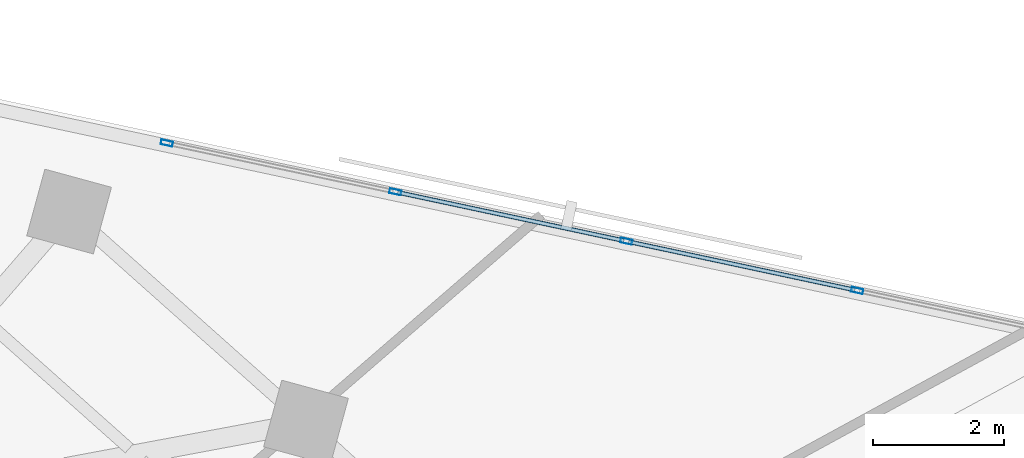
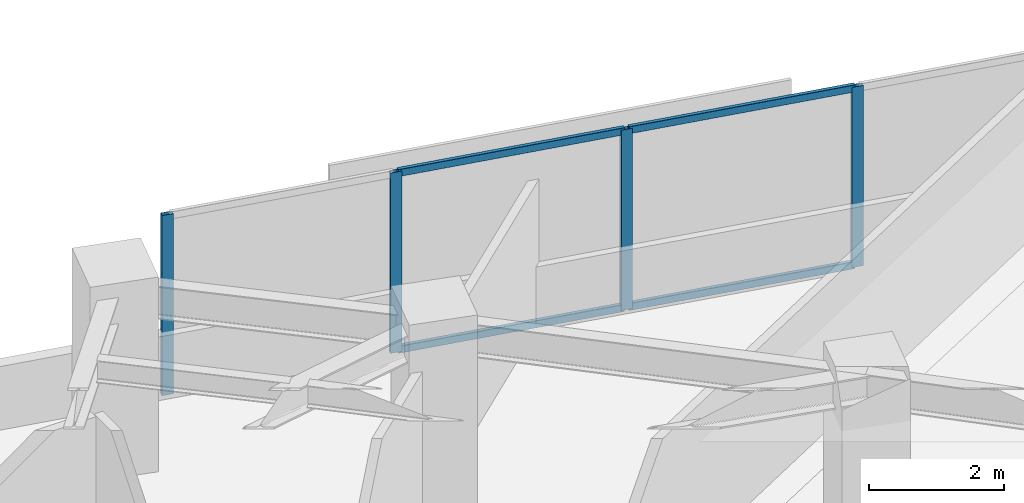
# One storey, part 4 of 14: 8 members, 1 element without a shape of its own.
"""IFC4 building model written with IfcOpenShell, lengths in metres."""

from ifc_helpers import new_model, si_unit, direction, frame, origin, origin_2d, place, context, subcontext, project, spatial, hollow_rectangle, extrude, material, material_profile, profile_set, type_object, element, aggregate, save


model = new_model("IFC4")

# Units and contexts
model_context = context("Model", 3, precision=1e-05, world=origin(), true_north=direction((0.0, 1.0)))
body_context = subcontext(model_context, "Body", "Model", "MODEL_VIEW")
ifc_project = project(units=[si_unit("LENGTHUNIT", "METRE"), si_unit("AREAUNIT", "SQUARE_METRE"), si_unit("VOLUMEUNIT", "CUBIC_METRE"), si_unit("PLANEANGLEUNIT", "RADIAN"), si_unit("MASSUNIT", "GRAM", prefix="KILO")], contexts=[model_context])

# Site, building, storey
site_placement = place(None, origin())
site = spatial("IfcSite", under=ifc_project, at=site_placement, CompositionType="ELEMENT")
building_placement = place(site_placement, origin())
building = spatial("IfcBuilding", under=site, at=building_placement, Name="Narakoshi Arena Tower", CompositionType="ELEMENT")
storey_placement = place(building_placement, frame((0.0, 0.0, 214.97998046875)))
storey = spatial("IfcBuildingStorey", under=building, at=storey_placement, Name="L58", CompositionType="ELEMENT", Elevation=214.97998046875)

# Curtain wall, members
ifc_material = material(Name="Anodised bronze aluminium 6063-T6", Category="aluminium")
curtain_wall_type = type_object("IfcCurtainWallType", Name="CW-HYP-MID", PredefinedType="NOTDEFINED", material=ifc_material)
curtain_wall_placement = place(storey_placement, origin())
curtain_wall = element("IfcCurtainWall", 1, at=curtain_wall_placement, inside=storey, type_object=curtain_wall_type, Name="L58 Folded Hypotenuse Curtain Wall 1-1", PredefinedType="NOTDEFINED")
ifc_material_profile_1 = material_profile(ifc_material, hollow_rectangle(XDim=0.074951171875, YDim=0.179931640625, WallThickness=0.00390625, OuterFilletRadius=0.0048828125, at=origin_2d()), Name="MUL180x75x4")
ifc_profile_set_1 = profile_set([ifc_material_profile_1], Name="Anodised bronze aluminium 6063-T6")
member_type_1 = type_object("IfcMemberType", Name="MEM-MUL-180", PredefinedType="MULLION", material=ifc_profile_set_1)
member_1_placement = place(storey_placement, frame((101.553955078125, 59.932861328125, 0.0), z_axis=(0.0, 0.0, 1.0), x_axis=(-0.208899163248, -0.977937185914, 0.0)))
member_1 = element("IfcMember", 2, at=member_1_placement, type_object=member_type_1, Name="CW-02 mullion 5", PredefinedType="MULLION", context=body_context, shape_type="SweptSolid", body=[
    extrude(hollow_rectangle(XDim=0.074951171875, YDim=0.179931640625, WallThickness=0.00390625, OuterFilletRadius=0.0048828125, at=origin_2d()), origin(), (0.0, 0.0, 1.0), 3.260009765625),
])
member_2_placement = place(storey_placement, frame((98.0400390625, 60.68359375, 0.0), z_axis=(0.0, 0.0, 1.0), x_axis=(-0.208899163248, -0.977937185914, 0.0)))
member_2 = element("IfcMember", 3, at=member_2_placement, type_object=member_type_1, Name="CW-02 mullion 6", PredefinedType="MULLION", context=body_context, shape_type="SweptSolid", body=[
    extrude(hollow_rectangle(XDim=0.074951171875, YDim=0.179931640625, WallThickness=0.00390625, OuterFilletRadius=0.0048828125, at=origin_2d()), origin(), (0.0, 0.0, 1.0), 3.260009765625),
])
member_3_placement = place(storey_placement, frame((94.52587890625, 61.434326171875, 0.0), z_axis=(0.0, 0.0, 1.0), x_axis=(-0.208899163248, -0.977937185914, 0.0)))
member_3 = element("IfcMember", 4, at=member_3_placement, type_object=member_type_1, Name="CW-02 mullion 7", PredefinedType="MULLION", context=body_context, shape_type="SweptSolid", body=[
    extrude(hollow_rectangle(XDim=0.074951171875, YDim=0.179931640625, WallThickness=0.00390625, OuterFilletRadius=0.0048828125, at=origin_2d()), origin(), (0.0, 0.0, 1.0), 3.260009765625),
])
member_4_placement = place(storey_placement, frame((91.04833984375, 62.177001953125, 0.0), z_axis=(0.0, 0.0, 1.0), x_axis=(-0.208899163248, -0.977937185914, 0.0)))
member_4 = element("IfcMember", 5, at=member_4_placement, type_object=member_type_1, Name="CW-02 mullion 8", PredefinedType="MULLION", context=body_context, shape_type="SweptSolid", body=[
    extrude(hollow_rectangle(XDim=0.074951171875, YDim=0.179931640625, WallThickness=0.00390625, OuterFilletRadius=0.0048828125, at=origin_2d()), origin(), (0.0, 0.0, 1.0), 3.260009765625),
])
ifc_material_profile_2 = material_profile(ifc_material, hollow_rectangle(XDim=0.06494140625, YDim=0.1298828125, WallThickness=0.00390625, OuterFilletRadius=0.0048828125, at=origin_2d()), Name="TRN130x65x4")
ifc_profile_set_2 = profile_set([ifc_material_profile_2], Name="Anodised bronze aluminium 6063-T6")
member_type_2 = type_object("IfcMemberType", Name="MEM-TRN-130", PredefinedType="USERDEFINED", material=ifc_profile_set_2)
member_5_placement = place(storey_placement, frame((101.517333984375, 59.940673828125, 0.032470703125), z_axis=(-0.977929169638, 0.208936686992, 0.0), x_axis=(-0.208936686992, -0.977929169638, 0.0)))
member_5 = element("IfcMember", 6, at=member_5_placement, type_object=member_type_2, Name="CW-02 transom 5.1", ObjectType="TRANSOM", PredefinedType="USERDEFINED", context=body_context, shape_type="SweptSolid", body=[
    extrude(hollow_rectangle(XDim=0.06494140625, YDim=0.1298828125, WallThickness=0.00390625, OuterFilletRadius=0.0048828125, at=origin_2d()), origin(), (0.0, 0.0, 1.0), 3.518310546875),
])
member_6_placement = place(storey_placement, frame((101.517333984375, 59.940673828125, 3.2275390625), z_axis=(-0.977929169638, 0.208936686992, 0.0), x_axis=(-0.208936686992, -0.977929169638, 0.0)))
member_6 = element("IfcMember", 7, at=member_6_placement, type_object=member_type_2, Name="CW-02 transom 5.2", ObjectType="TRANSOM", PredefinedType="USERDEFINED", context=body_context, shape_type="SweptSolid", body=[
    extrude(hollow_rectangle(XDim=0.06494140625, YDim=0.1298828125, WallThickness=0.00390625, OuterFilletRadius=0.0048828125, at=origin_2d()), origin(), (0.0, 0.0, 1.0), 3.518310546875),
])
member_7_placement = place(storey_placement, frame((98.003173828125, 60.69140625, 0.032470703125), z_axis=(-0.977929169638, 0.208936686992, 0.0), x_axis=(-0.208936686992, -0.977929169638, 0.0)))
member_7 = element("IfcMember", 8, at=member_7_placement, type_object=member_type_2, Name="CW-02 transom 6.1", ObjectType="TRANSOM", PredefinedType="USERDEFINED", context=body_context, shape_type="SweptSolid", body=[
    extrude(hollow_rectangle(XDim=0.06494140625, YDim=0.1298828125, WallThickness=0.00390625, OuterFilletRadius=0.0048828125, at=origin_2d()), origin(), (0.0, 0.0, 1.0), 3.518310546875),
])
member_8_placement = place(storey_placement, frame((98.003173828125, 60.69140625, 3.2275390625), z_axis=(-0.977929169638, 0.208936686992, 0.0), x_axis=(-0.208936686992, -0.977929169638, 0.0)))
member_8 = element("IfcMember", 9, at=member_8_placement, type_object=member_type_2, Name="CW-02 transom 6.2", ObjectType="TRANSOM", PredefinedType="USERDEFINED", context=body_context, shape_type="SweptSolid", body=[
    extrude(hollow_rectangle(XDim=0.06494140625, YDim=0.1298828125, WallThickness=0.00390625, OuterFilletRadius=0.0048828125, at=origin_2d()), origin(), (0.0, 0.0, 1.0), 3.518310546875),
])
aggregate(curtain_wall, [member_1, member_2, member_3, member_4, member_5, member_6, member_7, member_8])

save(model, "model.ifc")
